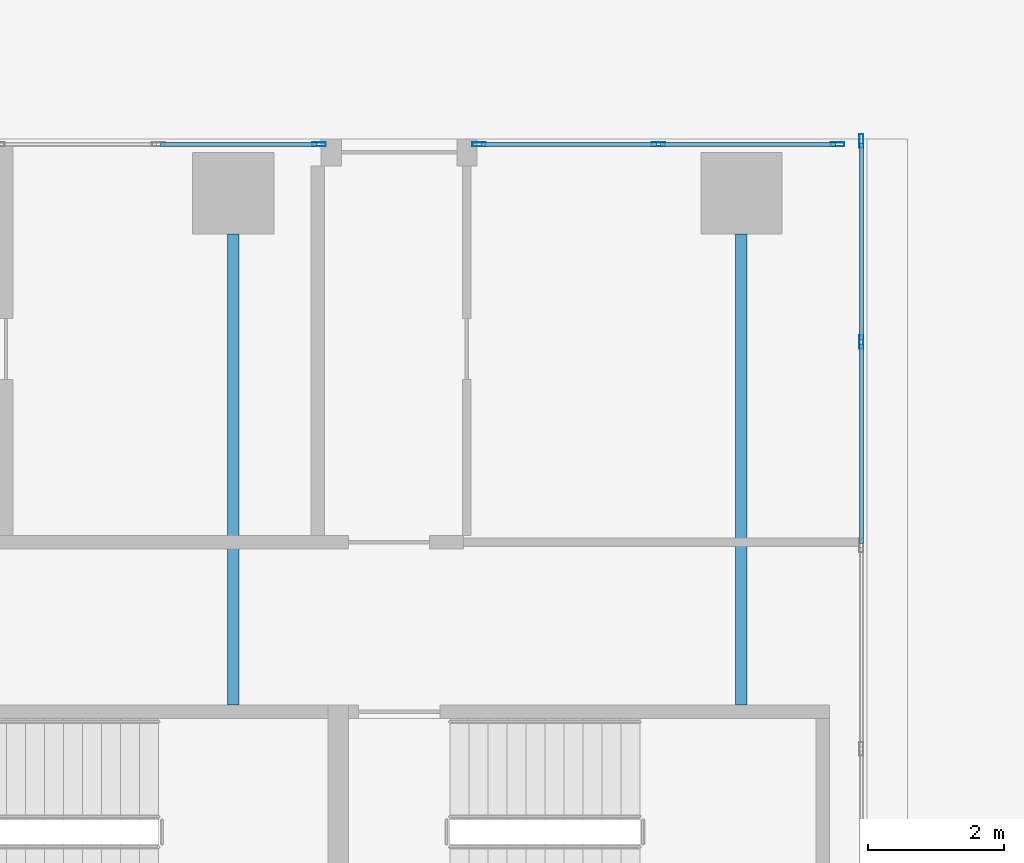
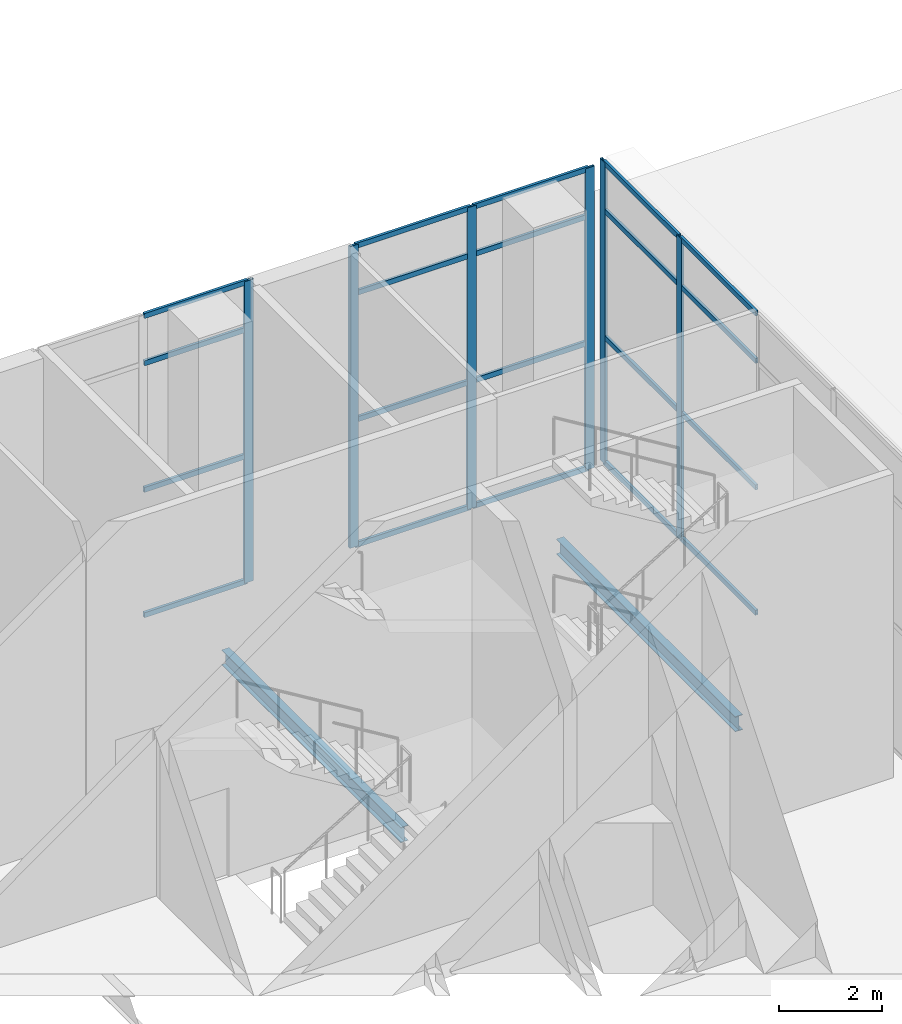
# One storey, part 18 of 52: 26 members, 2 beams, 3 elements without a shape of their own.
"""IFC4 building model written with IfcOpenShell, lengths in metres."""

import ifcopenshell
import ifcopenshell.guid

model = None  # the IFC model being written
_history = None  # IfcOwnerHistory: only IFC2X3 demands one
_inside = {}  # id of a spatial element -> (the spatial element, [elements in it])
_under = {}  # id of a project, library or spatial element -> (it, [spatial elements below it])
_declared = {}  # id of a project -> (the project, [libraries it declares])
_typed = {}  # id of a type object -> (the type object, [elements of that type])
_made_of = {}  # id of a material, layer set ... -> (it, [elements and type objects made of it])


def new_model(schema):
    """Start an empty IFC model of exactly this schema.

    Asked for "IFC4X3", IfcOpenShell would pick the latest addendum, in which some entities
    have other attributes; the version numbers below select the first issue.
    IFC2X3 requires an IfcOwnerHistory on every rooted entity: one is made here for all.
    """
    global model, _history
    if schema == "IFC4X3":
        model = ifcopenshell.file(schema_version=(4, 3, 0, 0))
    else:
        model = ifcopenshell.file(schema=schema)
    _inside.clear()
    _under.clear()
    _declared.clear()
    _typed.clear()
    _made_of.clear()
    _history = None
    if model.schema == "IFC2X3":
        org = make("IfcOrganization", Name="unknown")
        user = make(
            "IfcPersonAndOrganization",
            ThePerson=make("IfcPerson", FamilyName="unknown"),
            TheOrganization=org,
        )
        app = make(
            "IfcApplication",
            ApplicationDeveloper=org,
            Version="unknown",
            ApplicationFullName="unknown",
            ApplicationIdentifier="unknown",
        )
        _history = make(
            "IfcOwnerHistory",
            OwningUser=user,
            OwningApplication=app,
            ChangeAction="ADDED",
            CreationDate=0,
        )
    return model


def make(cls, **values):
    """One entity of the class cls with the attributes given. An attribute that is None is left unset."""
    return model.create_entity(
        cls, **{name: value for name, value in values.items() if value is not None}
    )


def rooted(cls, **values):
    """An entity with a GlobalId (a new one), such as an element, a storey or a relation."""
    return make(cls, GlobalId=ifcopenshell.guid.new(), OwnerHistory=_history, **values)


def si_unit(unit_type, name, prefix=None):
    """IfcSIUnit, for example si_unit("LENGTHUNIT", "METRE", prefix="MILLI")."""
    return make("IfcSIUnit", UnitType=unit_type, Prefix=prefix, Name=name)


def assignment(units):
    """IfcUnitAssignment: the units of a project."""
    return None if units is None else make("IfcUnitAssignment", Units=units)


def point(xyz):
    """IfcCartesianPoint."""
    return None if xyz is None else make("IfcCartesianPoint", Coordinates=xyz)


def direction(xyz):
    """IfcDirection."""
    return None if xyz is None else make("IfcDirection", DirectionRatios=xyz)


def frame(location, z_axis=None, x_axis=None):
    """IfcAxis2Placement3D, a coordinate frame: its origin and axes. An axis left out is left unset."""
    return make(
        "IfcAxis2Placement3D",
        Location=point(location),
        Axis=direction(z_axis),
        RefDirection=direction(x_axis),
    )


def frame_2d(location, x_axis=None):
    """IfcAxis2Placement2D, a coordinate frame in the plane: its origin and x axis."""
    return make(
        "IfcAxis2Placement2D", Location=point(location), RefDirection=direction(x_axis)
    )


def origin():
    """The frame at (0, 0, 0) with its axes left unset."""
    return frame((0.0, 0.0, 0.0))


def origin_2d():
    """The frame at (0, 0) in the plane with its x axis left unset."""
    return frame_2d((0.0, 0.0))


def place(relative_to, where):
    """IfcLocalPlacement: puts the frame where relative to a parent placement (None: the world)."""
    return make(
        "IfcLocalPlacement", PlacementRelTo=relative_to, RelativePlacement=where
    )


def context(
    kind, dimensions, precision=None, world=None, true_north=None, identifier=None
):
    """IfcGeometricRepresentationContext, for example the 3D "Model" context."""
    return make(
        "IfcGeometricRepresentationContext",
        ContextIdentifier=identifier,
        ContextType=kind,
        CoordinateSpaceDimension=dimensions,
        Precision=precision,
        WorldCoordinateSystem=world,
        TrueNorth=true_north,
    )


def subcontext(parent, identifier, kind, view, scale=None):
    """IfcGeometricRepresentationSubContext, for example "Body" below "Model"."""
    return make(
        "IfcGeometricRepresentationSubContext",
        ContextIdentifier=identifier,
        ContextType=kind,
        ParentContext=parent,
        TargetScale=scale,
        TargetView=view,
    )


def project(units=None, contexts=None):
    """IfcProject with its units and contexts."""
    return rooted(
        "IfcProject",
        Name="project",
        RepresentationContexts=contexts,
        UnitsInContext=assignment(units),
    )


def spatial(cls, under=None, at=None, **own):
    """A site, building, storey or space (cls), placed at a placement, below another one or the project."""
    s = rooted(cls, ObjectPlacement=at, **own)
    if under is not None:
        _under.setdefault(under.id(), (under, []))[1].append(s)
    return s


def profile(cls, at=None, kind="AREA", **sizes):
    """A parametric profile (cls). Its sizes go by their IFC names, for example OverallWidth=200.0."""
    return make(cls, ProfileType=kind, Position=at, **sizes)


def hollow_rectangle(**sizes):
    """IfcRectangleHollowProfileDef."""
    return profile("IfcRectangleHollowProfileDef", **sizes)


def i_section(**sizes):
    """IfcIShapeProfileDef."""
    return profile("IfcIShapeProfileDef", **sizes)


def extrude(swept, where, along, depth):
    """IfcExtrudedAreaSolid: the profile swept, set in the frame where, extruded along a direction by depth."""
    return make(
        "IfcExtrudedAreaSolid",
        SweptArea=swept,
        Position=where,
        ExtrudedDirection=direction(along),
        Depth=depth,
    )


def shape(context_of_items, identifier, shape_type, items):
    """IfcShapeRepresentation: the items that make up one representation, for example the "Body"."""
    return make(
        "IfcShapeRepresentation",
        ContextOfItems=context_of_items,
        RepresentationIdentifier=identifier,
        RepresentationType=shape_type,
        Items=items,
    )


def source(mapping_origin, context_of_items, identifier, shape_type, items):
    """IfcRepresentationMap: a shape defined once, which mapped items show again and again."""
    return make(
        "IfcRepresentationMap",
        MappingOrigin=mapping_origin,
        MappedRepresentation=shape(context_of_items, identifier, shape_type, items),
    )


def transform(
    local_origin,
    x_axis=None,
    y_axis=None,
    z_axis=None,
    scale=None,
    scale2=None,
    scale3=None,
    uniform=True,
):
    """IfcCartesianTransformationOperator3D, or its non-uniform kind. x_axis, y_axis, z_axis: its Axis1, 2, 3."""
    if uniform:
        return make(
            "IfcCartesianTransformationOperator3D",
            Axis1=direction(x_axis),
            Axis2=direction(y_axis),
            LocalOrigin=point(local_origin),
            Scale=scale,
            Axis3=direction(z_axis),
        )
    return make(
        "IfcCartesianTransformationOperator3DnonUniform",
        Axis1=direction(x_axis),
        Axis2=direction(y_axis),
        LocalOrigin=point(local_origin),
        Scale=scale,
        Axis3=direction(z_axis),
        Scale2=scale2,
        Scale3=scale3,
    )


def mapped(mapping_source, mapping_target):
    """IfcMappedItem: shows the shape of a source again, moved by a transform."""
    return make(
        "IfcMappedItem", MappingSource=mapping_source, MappingTarget=mapping_target
    )


def material(Name=None, Category=None):
    """IfcMaterial."""
    return make("IfcMaterial", Name=Name, Category=Category)


def material_profile(
    of_material, cross_section, Name=None, Category=None, Priority=None
):
    """IfcMaterialProfile: a cross section and its material."""
    return make(
        "IfcMaterialProfile",
        Name=Name,
        Material=of_material,
        Profile=cross_section,
        Priority=Priority,
        Category=Category,
    )


def profile_set(profiles, Name=None, composite=None):
    """IfcMaterialProfileSet."""
    return make(
        "IfcMaterialProfileSet",
        Name=Name,
        MaterialProfiles=profiles,
        CompositeProfile=composite,
    )


def made_of(thing, what):
    """Note that an element or type object is made of a material, layer set ...; save() writes the relation."""
    if what is not None:
        _made_of.setdefault(what.id(), (what, []))[1].append(thing)
    return thing


def type_object(cls, material=None, **own):
    """A type object (cls), such as IfcWallType, which elements share."""
    return made_of(rooted(cls, **own), material)


def element(
    cls,
    number,
    at=None,
    inside=None,
    cuts=None,
    type_object=None,
    material=None,
    context=None,
    identifier="Body",
    shape_type=None,
    held_by="IfcProductDefinitionShape",
    body=None,
    shapes=None,
    **own,
):
    """One element of the class cls, such as IfcWall. Its Tag is "e" and its number.

    at: its placement. inside: the storey or other place that contains it. cuts: it is an
    opening in that element (IfcRelVoidsElement). A single representation is given by context,
    identifier, shape_type and body (its items); several are given by shapes. held_by: the class
    of the entity that holds the representations. save() writes the other relations.
    """
    e = rooted(cls, Tag="e%d" % number, ObjectPlacement=at, **own)
    if body is not None:
        shapes = [shape(context, identifier, shape_type, body)]
    if shapes is not None:
        e.Representation = make(held_by, Representations=shapes)
    if inside is not None:
        _inside.setdefault(inside.id(), (inside, []))[1].append(e)
    if cuts is not None:
        rooted(
            "IfcRelVoidsElement", RelatingBuildingElement=cuts, RelatedOpeningElement=e
        )
    if type_object is not None:
        _typed.setdefault(type_object.id(), (type_object, []))[1].append(e)
    return made_of(e, material)


def aggregate(whole, parts):
    """IfcRelAggregates: a whole, such as a stair, and the parts it consists of."""
    return rooted("IfcRelAggregates", RelatingObject=whole, RelatedObjects=parts)


def save(model, path):
    """Write the relations noted so far, then the file.

    IfcRelAggregates (storeys below a building ...), IfcRelContainedInSpatialStructure (elements
    in a storey), IfcRelDefinesByType, IfcRelAssociatesMaterial and IfcRelDeclares: one each for
    every whole, place, type object, material and project.
    """
    for whole, parts in _under.values():
        aggregate(whole, parts)
    for where, things in _inside.values():
        rooted(
            "IfcRelContainedInSpatialStructure",
            RelatedElements=things,
            RelatingStructure=where,
        )
    for kind, things in _typed.values():
        rooted("IfcRelDefinesByType", RelatedObjects=things, RelatingType=kind)
    for what, things in _made_of.values():
        rooted("IfcRelAssociatesMaterial", RelatedObjects=things, RelatingMaterial=what)
    for by, libraries in _declared.values():
        rooted("IfcRelDeclares", RelatingContext=by, RelatedDefinitions=libraries)
    model.write(path)


model = new_model("IFC4")

# Units and contexts
model_context = context("Model", 3, precision=1e-05, world=origin(), true_north=direction((0.0, 1.0)))
body_context = subcontext(model_context, "Body", "Model", "MODEL_VIEW")
ifc_project = project(units=[si_unit("LENGTHUNIT", "METRE"), si_unit("AREAUNIT", "SQUARE_METRE"), si_unit("VOLUMEUNIT", "CUBIC_METRE"), si_unit("PLANEANGLEUNIT", "RADIAN"), si_unit("MASSUNIT", "GRAM", prefix="KILO")], contexts=[model_context])

# Site, building, storey
site_placement = place(None, origin())
site = spatial("IfcSite", under=ifc_project, at=site_placement, CompositionType="ELEMENT")
building_placement = place(site_placement, origin())
building = spatial("IfcBuilding", under=site, at=building_placement, Name="Khomas Fold Tower", CompositionType="ELEMENT")
storey_placement = place(building_placement, origin())
storey = spatial("IfcBuildingStorey", under=building, at=storey_placement, Name="L00", CompositionType="ELEMENT", Elevation=0.0)

# Beams
ifc_material_1 = material(Name="Steel S355", Category="steel")
ifc_material_profile_1 = material_profile(ifc_material_1, i_section(OverallWidth=0.169921875, OverallDepth=0.360107421875, WebThickness=0.008056640625, FlangeThickness=0.0126953125, at=origin_2d()), Name="IPE 360")
ifc_profile_set_1 = profile_set([ifc_material_profile_1], Name="Steel S355")
beam_type = type_object("IfcBeamType", Name="IPE 360 beam JB2", PredefinedType="BEAM", material=ifc_profile_set_1)
shared_shape_1 = source(origin(), body_context, "Body", "SweptSolid", [
    extrude(i_section(OverallWidth=0.169921875, OverallDepth=0.360107421875, WebThickness=0.008056640625, FlangeThickness=0.0126953125, at=origin_2d()), origin(), (0.0, 0.0, 1.0), 6.9501953125),
])
for number, where, z_axis, x_axis, name in (
    (1, (19.5, 45.64990234375, -0.530029296875), (0.0, 1.0, 0.0), (-1.0, 0.0, 0.0), "JB2"),
    (2, (27.0, 45.64990234375, -0.530029296875), (0.0, 1.0, 0.0), (-1.0, 0.0, 0.0), "JB2"),
):
    element("IfcBeam", number, at=place(storey_placement, frame(where, z_axis=z_axis, x_axis=x_axis)), inside=storey, type_object=beam_type, Name=name, PredefinedType="BEAM", context=body_context, shape_type="MappedRepresentation", body=[
        mapped(shared_shape_1, transform((0.0, 0.0, 0.0))),
    ])

# Curtain wall, members
ifc_material_2 = material(Name="Aluminium framed double glazing", Category="aluminium")
curtain_wall_type = type_object("IfcCurtainWallType", Name="Shopfront glazing PD-CW", PredefinedType="NOTDEFINED", material=ifc_material_2)
curtain_wall_1_placement = place(storey_placement, origin())
curtain_wall_1 = element("IfcCurtainWall", 3, at=curtain_wall_1_placement, inside=storey, type_object=curtain_wall_type, Name="Podium shopfront run", PredefinedType="NOTDEFINED")
ifc_material_3 = material(Name="Aluminium", Category="aluminium")
ifc_material_profile_2 = material_profile(ifc_material_3, hollow_rectangle(XDim=0.06005859375, YDim=0.199951171875, WallThickness=0.00390625, at=origin_2d()), Name="Shopfront glazing mullion PD-CW-M")
ifc_profile_set_2 = profile_set([ifc_material_profile_2], Name="Aluminium")
member_type_1 = type_object("IfcMemberType", Name="Shopfront glazing mullion PD-CW-M", PredefinedType="MULLION", material=ifc_profile_set_2)
shared_shape_2 = source(origin(), body_context, "Body", "SweptSolid", [
    extrude(hollow_rectangle(XDim=0.06005859375, YDim=0.199951171875, WallThickness=0.00390625, at=origin_2d()), origin(), (0.0, 0.0, 1.0), 7.14990234375),
])
member_1_placement = place(storey_placement, frame((28.77001953125, 51.0, 0.0), z_axis=(0.0, 0.0, 1.0), x_axis=(-1.0, 0.0, 0.0)))
member_1 = element("IfcMember", 4, at=member_1_placement, type_object=member_type_1, Name="PD-CW mullion 6", PredefinedType="MULLION", context=body_context, shape_type="MappedRepresentation", body=[
    mapped(shared_shape_2, transform((0.0, 0.0, 0.0))),
])
member_2_placement = place(storey_placement, frame((28.77001953125, 53.969970703125, 0.0), z_axis=(0.0, 0.0, 1.0), x_axis=(-1.0, 0.0, 0.0)))
member_2 = element("IfcMember", 5, at=member_2_placement, type_object=member_type_1, Name="PD-CW mullion 7", PredefinedType="MULLION", context=body_context, shape_type="MappedRepresentation", body=[
    mapped(shared_shape_2, transform((0.0, 0.0, 0.0))),
])

curtain_wall_2_placement = place(storey_placement, origin())
curtain_wall_2 = element("IfcCurtainWall", 6, at=curtain_wall_2_placement, inside=storey, type_object=curtain_wall_type, Name="Podium shopfront run", PredefinedType="NOTDEFINED")
member_3_placement = place(storey_placement, frame((28.419921875, 53.919921875, 0.0), z_axis=(0.0, 0.0, 1.0), x_axis=(0.0, -1.0, 0.0)))
member_3 = element("IfcMember", 7, at=member_3_placement, type_object=member_type_1, Name="PD-CW mullion 1", PredefinedType="MULLION", context=body_context, shape_type="MappedRepresentation", body=[
    mapped(shared_shape_2, transform((0.0, 0.0, 0.0))),
])
member_4_placement = place(storey_placement, frame((25.77490234375, 53.919921875, 0.0), z_axis=(0.0, 0.0, 1.0), x_axis=(0.0, -1.0, 0.0)))
member_4 = element("IfcMember", 8, at=member_4_placement, type_object=member_type_1, Name="PD-CW mullion 2", PredefinedType="MULLION", context=body_context, shape_type="MappedRepresentation", body=[
    mapped(shared_shape_2, transform((0.0, 0.0, 0.0))),
])
member_5_placement = place(storey_placement, frame((23.1298828125, 53.919921875, 0.0), z_axis=(0.0, 0.0, 1.0), x_axis=(0.0, -1.0, 0.0)))
member_5 = element("IfcMember", 9, at=member_5_placement, type_object=member_type_1, Name="PD-CW mullion 3", PredefinedType="MULLION", context=body_context, shape_type="MappedRepresentation", body=[
    mapped(shared_shape_2, transform((0.0, 0.0, 0.0))),
])

# Curtain wall, member
curtain_wall_3_placement = place(storey_placement, origin())
curtain_wall_3 = element("IfcCurtainWall", 10, at=curtain_wall_3_placement, inside=storey, type_object=curtain_wall_type, Name="Podium shopfront run", PredefinedType="NOTDEFINED")
member_6_placement = place(storey_placement, frame((20.77001953125, 53.919921875, 0.0), z_axis=(0.0, 0.0, 1.0), x_axis=(0.0, -1.0, 0.0)))
member_6 = element("IfcMember", 11, at=member_6_placement, type_object=member_type_1, Name="PD-CW mullion 1", PredefinedType="MULLION", context=body_context, shape_type="MappedRepresentation", body=[
    mapped(shared_shape_2, transform((0.0, 0.0, 0.0))),
])

# Member
ifc_material_4 = material(Name="Aluminium", Category="aluminium")
ifc_material_profile_3 = material_profile(ifc_material_4, hollow_rectangle(XDim=0.06005859375, YDim=0.1201171875, WallThickness=0.00390625, at=origin_2d()), Name="Shopfront glazing transom PD-CW-T")
ifc_profile_set_3 = profile_set([ifc_material_profile_3], Name="Aluminium")
member_type_2 = type_object("IfcMemberType", Name="Shopfront glazing transom PD-CW-T", PredefinedType="USERDEFINED", material=ifc_profile_set_3)
shared_shape_3 = source(origin(), body_context, "Body", "SweptSolid", [
    extrude(hollow_rectangle(XDim=0.06005859375, YDim=0.1201171875, WallThickness=0.00390625, at=origin_2d()), origin(), (0.0, 0.0, 1.0), 2.909912109375),
])
member_7_placement = place(storey_placement, frame((28.77001953125, 51.030029296875, 0.030029296875), z_axis=(0.0, 1.0, 0.0), x_axis=(-1.0, 0.0, 0.0)))
member_7 = element("IfcMember", 12, at=member_7_placement, type_object=member_type_2, Name="PD-CW transom 6.1", ObjectType="TRANSOM", PredefinedType="USERDEFINED", context=body_context, shape_type="MappedRepresentation", body=[
    mapped(shared_shape_3, transform((0.0, 0.0, 0.0))),
])

member_8_placement = place(storey_placement, frame((28.77001953125, 51.030029296875, 3.0), z_axis=(0.0, 1.0, 0.0), x_axis=(-1.0, 0.0, 0.0)))
member_8 = element("IfcMember", 13, at=member_8_placement, type_object=member_type_2, Name="PD-CW transom 6.2", ObjectType="TRANSOM", PredefinedType="USERDEFINED", context=body_context, shape_type="MappedRepresentation", body=[
    mapped(shared_shape_3, transform((0.0, 0.0, 0.0))),
])

member_9_placement = place(storey_placement, frame((28.77001953125, 51.030029296875, 6.0), z_axis=(0.0, 1.0, 0.0), x_axis=(-1.0, 0.0, 0.0)))
member_9 = element("IfcMember", 14, at=member_9_placement, type_object=member_type_2, Name="PD-CW transom 6.3", ObjectType="TRANSOM", PredefinedType="USERDEFINED", context=body_context, shape_type="MappedRepresentation", body=[
    mapped(shared_shape_3, transform((0.0, 0.0, 0.0))),
])

member_10_placement = place(storey_placement, frame((28.77001953125, 51.030029296875, 7.1201171875), z_axis=(0.0, 1.0, 0.0), x_axis=(-1.0, 0.0, 0.0)))
member_10 = element("IfcMember", 15, at=member_10_placement, type_object=member_type_2, Name="PD-CW transom 6.4", ObjectType="TRANSOM", PredefinedType="USERDEFINED", context=body_context, shape_type="MappedRepresentation", body=[
    mapped(shared_shape_3, transform((0.0, 0.0, 0.0))),
])

shared_shape_4 = source(origin(), body_context, "Body", "SweptSolid", [
    extrude(hollow_rectangle(XDim=0.06005859375, YDim=0.1201171875, WallThickness=0.00390625, at=origin_2d()), origin(), (0.0, 0.0, 1.0), 2.93994140625),
])
member_11_placement = place(storey_placement, frame((28.77001953125, 48.030029296875, 0.030029296875), z_axis=(0.0, 1.0, 0.0), x_axis=(-1.0, 0.0, 0.0)))
member_11 = element("IfcMember", 16, at=member_11_placement, type_object=member_type_2, Name="PD-CW transom 5.1", ObjectType="TRANSOM", PredefinedType="USERDEFINED", context=body_context, shape_type="MappedRepresentation", body=[
    mapped(shared_shape_4, transform((0.0, 0.0, 0.0))),
])

member_12_placement = place(storey_placement, frame((28.77001953125, 48.030029296875, 3.0), z_axis=(0.0, 1.0, 0.0), x_axis=(-1.0, 0.0, 0.0)))
member_12 = element("IfcMember", 17, at=member_12_placement, type_object=member_type_2, Name="PD-CW transom 5.2", ObjectType="TRANSOM", PredefinedType="USERDEFINED", context=body_context, shape_type="MappedRepresentation", body=[
    mapped(shared_shape_4, transform((0.0, 0.0, 0.0))),
])

member_13_placement = place(storey_placement, frame((28.77001953125, 48.030029296875, 6.0), z_axis=(0.0, 1.0, 0.0), x_axis=(-1.0, 0.0, 0.0)))
member_13 = element("IfcMember", 18, at=member_13_placement, type_object=member_type_2, Name="PD-CW transom 5.3", ObjectType="TRANSOM", PredefinedType="USERDEFINED", context=body_context, shape_type="MappedRepresentation", body=[
    mapped(shared_shape_4, transform((0.0, 0.0, 0.0))),
])

member_14_placement = place(storey_placement, frame((28.77001953125, 48.030029296875, 7.1201171875), z_axis=(0.0, 1.0, 0.0), x_axis=(-1.0, 0.0, 0.0)))
member_14 = element("IfcMember", 19, at=member_14_placement, type_object=member_type_2, Name="PD-CW transom 5.4", ObjectType="TRANSOM", PredefinedType="USERDEFINED", context=body_context, shape_type="MappedRepresentation", body=[
    mapped(shared_shape_4, transform((0.0, 0.0, 0.0))),
])

aggregate(curtain_wall_1, [member_1, member_2, member_11, member_12, member_13, member_14, member_7, member_8, member_9, member_10])

shared_shape_5 = source(origin(), body_context, "Body", "SweptSolid", [
    extrude(hollow_rectangle(XDim=0.06005859375, YDim=0.1201171875, WallThickness=0.00390625, at=origin_2d()), origin(), (0.0, 0.0, 1.0), 2.5849609375),
])
member_15_placement = place(storey_placement, frame((28.389892578125, 53.919921875, 0.030029296875), z_axis=(-1.0, 0.0, 0.0), x_axis=(0.0, -1.0, 0.0)))
member_15 = element("IfcMember", 20, at=member_15_placement, type_object=member_type_2, Name="PD-CW transom 1.1", ObjectType="TRANSOM", PredefinedType="USERDEFINED", context=body_context, shape_type="MappedRepresentation", body=[
    mapped(shared_shape_5, transform((0.0, 0.0, 0.0))),
])

member_16_placement = place(storey_placement, frame((28.389892578125, 53.919921875, 3.0), z_axis=(-1.0, 0.0, 0.0), x_axis=(0.0, -1.0, 0.0)))
member_16 = element("IfcMember", 21, at=member_16_placement, type_object=member_type_2, Name="PD-CW transom 1.2", ObjectType="TRANSOM", PredefinedType="USERDEFINED", context=body_context, shape_type="MappedRepresentation", body=[
    mapped(shared_shape_5, transform((0.0, 0.0, 0.0))),
])

member_17_placement = place(storey_placement, frame((28.389892578125, 53.919921875, 6.0), z_axis=(-1.0, 0.0, 0.0), x_axis=(0.0, -1.0, 0.0)))
member_17 = element("IfcMember", 22, at=member_17_placement, type_object=member_type_2, Name="PD-CW transom 1.3", ObjectType="TRANSOM", PredefinedType="USERDEFINED", context=body_context, shape_type="MappedRepresentation", body=[
    mapped(shared_shape_5, transform((0.0, 0.0, 0.0))),
])

member_18_placement = place(storey_placement, frame((28.389892578125, 53.919921875, 7.1201171875), z_axis=(-1.0, 0.0, 0.0), x_axis=(0.0, -1.0, 0.0)))
member_18 = element("IfcMember", 23, at=member_18_placement, type_object=member_type_2, Name="PD-CW transom 1.4", ObjectType="TRANSOM", PredefinedType="USERDEFINED", context=body_context, shape_type="MappedRepresentation", body=[
    mapped(shared_shape_5, transform((0.0, 0.0, 0.0))),
])

shared_shape_6 = source(origin(), body_context, "Body", "SweptSolid", [
    extrude(hollow_rectangle(XDim=0.06005859375, YDim=0.1201171875, WallThickness=0.00390625, at=origin_2d()), origin(), (0.0, 0.0, 1.0), 2.585205078125),
])
member_19_placement = place(storey_placement, frame((25.7451171875, 53.919921875, 0.030029296875), z_axis=(-1.0, 0.0, 0.0), x_axis=(0.0, -1.0, 0.0)))
member_19 = element("IfcMember", 24, at=member_19_placement, type_object=member_type_2, Name="PD-CW transom 2.1", ObjectType="TRANSOM", PredefinedType="USERDEFINED", context=body_context, shape_type="MappedRepresentation", body=[
    mapped(shared_shape_6, transform((0.0, 0.0, 0.0))),
])

member_20_placement = place(storey_placement, frame((25.7451171875, 53.919921875, 3.0), z_axis=(-1.0, 0.0, 0.0), x_axis=(0.0, -1.0, 0.0)))
member_20 = element("IfcMember", 25, at=member_20_placement, type_object=member_type_2, Name="PD-CW transom 2.2", ObjectType="TRANSOM", PredefinedType="USERDEFINED", context=body_context, shape_type="MappedRepresentation", body=[
    mapped(shared_shape_6, transform((0.0, 0.0, 0.0))),
])

member_21_placement = place(storey_placement, frame((25.7451171875, 53.919921875, 6.0), z_axis=(-1.0, 0.0, 0.0), x_axis=(0.0, -1.0, 0.0)))
member_21 = element("IfcMember", 26, at=member_21_placement, type_object=member_type_2, Name="PD-CW transom 2.3", ObjectType="TRANSOM", PredefinedType="USERDEFINED", context=body_context, shape_type="MappedRepresentation", body=[
    mapped(shared_shape_6, transform((0.0, 0.0, 0.0))),
])

member_22_placement = place(storey_placement, frame((25.7451171875, 53.919921875, 7.1201171875), z_axis=(-1.0, 0.0, 0.0), x_axis=(0.0, -1.0, 0.0)))
member_22 = element("IfcMember", 27, at=member_22_placement, type_object=member_type_2, Name="PD-CW transom 2.4", ObjectType="TRANSOM", PredefinedType="USERDEFINED", context=body_context, shape_type="MappedRepresentation", body=[
    mapped(shared_shape_6, transform((0.0, 0.0, 0.0))),
])

aggregate(curtain_wall_2, [member_3, member_4, member_5, member_15, member_16, member_17, member_18, member_19, member_20, member_21, member_22])

shared_shape_7 = source(origin(), body_context, "Body", "SweptSolid", [
    extrude(hollow_rectangle(XDim=0.06005859375, YDim=0.1201171875, WallThickness=0.00390625, at=origin_2d()), origin(), (0.0, 0.0, 1.0), 2.31005859375),
])
member_23_placement = place(storey_placement, frame((20.739990234375, 53.919921875, 0.030029296875), z_axis=(-1.0, 0.0, 0.0), x_axis=(0.0, -1.0, 0.0)))
member_23 = element("IfcMember", 28, at=member_23_placement, type_object=member_type_2, Name="PD-CW transom 1.1", ObjectType="TRANSOM", PredefinedType="USERDEFINED", context=body_context, shape_type="MappedRepresentation", body=[
    mapped(shared_shape_7, transform((0.0, 0.0, 0.0))),
])

member_24_placement = place(storey_placement, frame((20.739990234375, 53.919921875, 3.0), z_axis=(-1.0, 0.0, 0.0), x_axis=(0.0, -1.0, 0.0)))
member_24 = element("IfcMember", 29, at=member_24_placement, type_object=member_type_2, Name="PD-CW transom 1.2", ObjectType="TRANSOM", PredefinedType="USERDEFINED", context=body_context, shape_type="MappedRepresentation", body=[
    mapped(shared_shape_7, transform((0.0, 0.0, 0.0))),
])

member_25_placement = place(storey_placement, frame((20.739990234375, 53.919921875, 6.0), z_axis=(-1.0, 0.0, 0.0), x_axis=(0.0, -1.0, 0.0)))
member_25 = element("IfcMember", 30, at=member_25_placement, type_object=member_type_2, Name="PD-CW transom 1.3", ObjectType="TRANSOM", PredefinedType="USERDEFINED", context=body_context, shape_type="MappedRepresentation", body=[
    mapped(shared_shape_7, transform((0.0, 0.0, 0.0))),
])

member_26_placement = place(storey_placement, frame((20.739990234375, 53.919921875, 7.1201171875), z_axis=(-1.0, 0.0, 0.0), x_axis=(0.0, -1.0, 0.0)))
member_26 = element("IfcMember", 31, at=member_26_placement, type_object=member_type_2, Name="PD-CW transom 1.4", ObjectType="TRANSOM", PredefinedType="USERDEFINED", context=body_context, shape_type="MappedRepresentation", body=[
    mapped(shared_shape_7, transform((0.0, 0.0, 0.0))),
])

aggregate(curtain_wall_3, [member_6, member_23, member_24, member_25, member_26])

save(model, "model.ifc")
